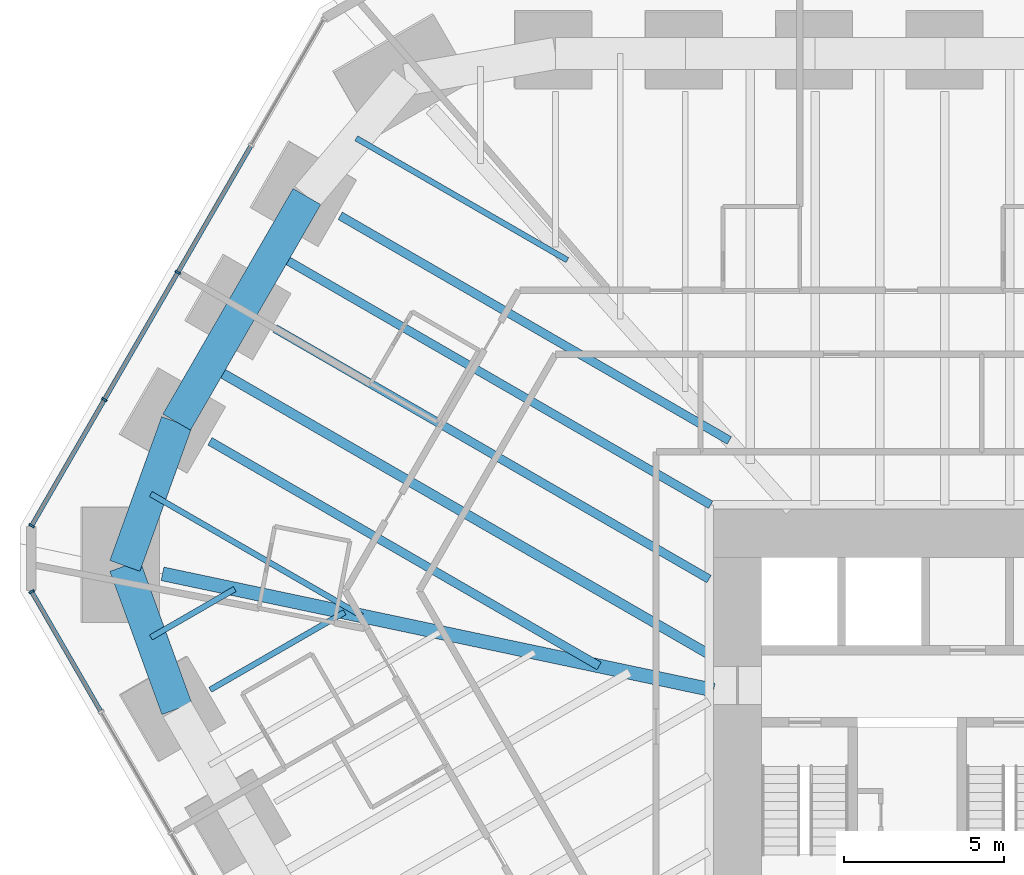
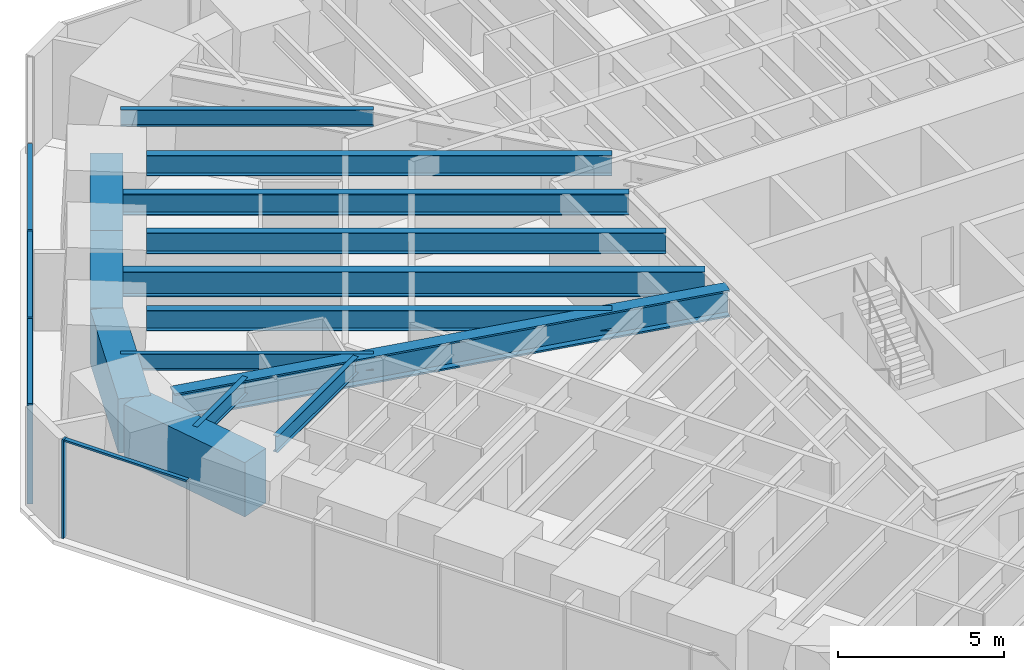
# One storey, part 7 of 17: 14 beams, 8 members, 2 elements without a shape of their own.
"""IFC4 building model written with IfcOpenShell, lengths in metres."""

from ifc_helpers import new_model, si_unit, direction, frame, origin, origin_2d, place, context, subcontext, project, spatial, rectangle, i_section, extrude, material, material_profile, profile_set, type_object, element, aggregate, save


model = new_model("IFC4")

# Units and contexts
model_context = context("Model", 3, precision=1e-05, world=origin(), true_north=direction((0.0, 1.0)))
body_context = subcontext(model_context, "Body", "Model", "MODEL_VIEW")
ifc_project = project(units=[si_unit("LENGTHUNIT", "METRE"), si_unit("AREAUNIT", "SQUARE_METRE"), si_unit("VOLUMEUNIT", "CUBIC_METRE"), si_unit("PLANEANGLEUNIT", "RADIAN"), si_unit("MASSUNIT", "GRAM", prefix="KILO")], contexts=[model_context])

# Site, building, storey
site_placement = place(None, origin())
site = spatial("IfcSite", under=ifc_project, at=site_placement, CompositionType="ELEMENT")
building_placement = place(site_placement, origin())
building = spatial("IfcBuilding", under=site, at=building_placement, Name="Sandreach Pilgrim Tower", CompositionType="ELEMENT")
storey_placement = place(building_placement, frame((0.0, 0.0, 76.199951171875)))
storey = spatial("IfcBuildingStorey", under=building, at=storey_placement, Name="L18", CompositionType="ELEMENT", Elevation=76.199951171875)

# Curtain wall, member
ifc_material_1 = material(Name="Aluminium framed curtain wall", Category="aluminium")
curtain_wall_type = type_object("IfcCurtainWallType", Name="Hostel tower curtain wall", PredefinedType="NOTDEFINED", material=ifc_material_1)
curtain_wall_1_placement = place(storey_placement, origin())
curtain_wall_1 = element("IfcCurtainWall", 1, at=curtain_wall_1_placement, inside=storey, type_object=curtain_wall_type, Name="CW-1 L18 SW", PredefinedType="NOTDEFINED")
ifc_material_2 = material(Name="Aluminium extrusion", Category="aluminium")
ifc_material_profile_1 = material_profile(ifc_material_2, rectangle(XDim=0.06494140625, YDim=0.179931640625, at=origin_2d()), Name="CW-1M 65X180")
ifc_profile_set_1 = profile_set([ifc_material_profile_1], Name="Aluminium extrusion")
member_type_1 = type_object("IfcMemberType", Name="CW-1 mullion", PredefinedType="MULLION", material=ifc_profile_set_1)
member_1_placement = place(storey_placement, frame((-30.56005859375, 5.033935546875, 0.0), z_axis=(0.0, 0.0, 1.0), x_axis=(-0.5, 0.866025403784, 0.0)))
member_1 = element("IfcMember", 2, at=member_1_placement, type_object=member_type_1, Name="CW-1 mullion 10", PredefinedType="MULLION", context=body_context, shape_type="SweptSolid", body=[
    extrude(rectangle(XDim=0.06494140625, YDim=0.179931640625, at=origin_2d()), origin(), (0.0, 0.0, 1.0), 3.64013671875),
])

# Curtain wall, members
curtain_wall_2_placement = place(storey_placement, origin())
curtain_wall_2 = element("IfcCurtainWall", 3, at=curtain_wall_2_placement, inside=storey, type_object=curtain_wall_type, Name="CW-1 L18 NW", PredefinedType="NOTDEFINED")
member_2_placement = place(storey_placement, frame((-30.56005859375, 7.09033203125, 0.0), z_axis=(0.0, 0.0, 1.0), x_axis=(0.5, 0.866025403784, 0.0)))
member_2 = element("IfcMember", 4, at=member_2_placement, type_object=member_type_1, Name="CW-1 mullion 1", PredefinedType="MULLION", context=body_context, shape_type="SweptSolid", body=[
    extrude(rectangle(XDim=0.06494140625, YDim=0.179931640625, at=origin_2d()), origin(), (0.0, 0.0, 1.0), 3.64013671875),
])
member_3_placement = place(storey_placement, frame((-28.283203125, 11.03369140625, 0.0), z_axis=(0.0, 0.0, 1.0), x_axis=(0.5, 0.866025403784, 0.0)))
member_3 = element("IfcMember", 5, at=member_3_placement, type_object=member_type_1, Name="CW-1 mullion 2", PredefinedType="MULLION", context=body_context, shape_type="SweptSolid", body=[
    extrude(rectangle(XDim=0.06494140625, YDim=0.179931640625, at=origin_2d()), origin(), (0.0, 0.0, 1.0), 3.64013671875),
])
member_4_placement = place(storey_placement, frame((-25.990234375, 15.00537109375, 0.0), z_axis=(0.0, 0.0, 1.0), x_axis=(0.5, 0.866025403784, 0.0)))
member_4 = element("IfcMember", 6, at=member_4_placement, type_object=member_type_1, Name="CW-1 mullion 3", PredefinedType="MULLION", context=body_context, shape_type="SweptSolid", body=[
    extrude(rectangle(XDim=0.06494140625, YDim=0.179931640625, at=origin_2d()), origin(), (0.0, 0.0, 1.0), 3.64013671875),
])

# Member
ifc_material_3 = material(Name="Aluminium extrusion", Category="aluminium")
ifc_material_profile_2 = material_profile(ifc_material_3, rectangle(XDim=0.139892578125, YDim=0.070068359375, at=origin_2d()), Name="CW-1T 140X70")
ifc_profile_set_2 = profile_set([ifc_material_profile_2], Name="Aluminium extrusion")
member_type_2 = type_object("IfcMemberType", Name="CW-1 transom", PredefinedType="USERDEFINED", material=ifc_profile_set_2)
member_5_placement = place(storey_placement, frame((-28.40673828125, 1.304443359375, 3.60498046875), z_axis=(-0.499991113271, 0.866030534479, 0.0), x_axis=(-0.866030534479, -0.499991113271, 0.0)))
member_5 = element("IfcMember", 7, at=member_5_placement, type_object=member_type_2, Name="CW-1 head transom 9", ObjectType="TRANSOM", PredefinedType="USERDEFINED", context=body_context, shape_type="SweptSolid", body=[
    extrude(rectangle(XDim=0.139892578125, YDim=0.070068359375, at=origin_2d()), origin(), (0.0, 0.0, 1.0), 4.27392578125),
])

aggregate(curtain_wall_1, [member_1, member_5])

member_6_placement = place(storey_placement, frame((-30.543701171875, 7.118408203125, 3.60498046875), z_axis=(0.499976706761, 0.866038851724, 0.0), x_axis=(-0.866038851724, 0.499976706761, 0.0)))
member_6 = element("IfcMember", 8, at=member_6_placement, type_object=member_type_2, Name="CW-1 head transom 1", ObjectType="TRANSOM", PredefinedType="USERDEFINED", context=body_context, shape_type="SweptSolid", body=[
    extrude(rectangle(XDim=0.139892578125, YDim=0.070068359375, at=origin_2d()), origin(), (0.0, 0.0, 1.0), 4.488525390625),
])

member_7_placement = place(storey_placement, frame((-28.266845703125, 11.06201171875, 3.60498046875), z_axis=(0.500001366228, 0.866024614991, 0.0), x_axis=(-0.866024614991, 0.500001366228, 0.0)))
member_7 = element("IfcMember", 9, at=member_7_placement, type_object=member_type_2, Name="CW-1 head transom 2", ObjectType="TRANSOM", PredefinedType="USERDEFINED", context=body_context, shape_type="SweptSolid", body=[
    extrude(rectangle(XDim=0.139892578125, YDim=0.070068359375, at=origin_2d()), origin(), (0.0, 0.0, 1.0), 4.52099609375),
])

member_8_placement = place(storey_placement, frame((-25.973876953125, 15.03369140625, 3.60498046875), z_axis=(0.500001366228, 0.866024614991, 0.0), x_axis=(-0.866024614991, 0.500001366228, 0.0)))
member_8 = element("IfcMember", 10, at=member_8_placement, type_object=member_type_2, Name="CW-1 head transom 3", ObjectType="TRANSOM", PredefinedType="USERDEFINED", context=body_context, shape_type="SweptSolid", body=[
    extrude(rectangle(XDim=0.139892578125, YDim=0.070068359375, at=origin_2d()), origin(), (0.0, 0.0, 1.0), 4.52099609375),
])

aggregate(curtain_wall_2, [member_2, member_3, member_4, member_6, member_7, member_8])

# Beams
ifc_material_4 = material(Name="Steel ASTM A992 Grade 50", Category="steel")
ifc_material_profile_3 = material_profile(ifc_material_4, i_section(OverallWidth=0.431884765625, OverallDepth=0.988037109375, WebThickness=0.034423828125, FlangeThickness=0.06201171875, at=origin_2d()), Name="W36X441")
ifc_profile_set_3 = profile_set([ifc_material_profile_3], Name="Steel ASTM A992 Grade 50")
beam_type_1 = type_object("IfcBeamType", Name="Corner girder W36X441", PredefinedType="BEAM", material=ifc_profile_set_3)
beam_1_placement = place(storey_placement, frame((-26.47021484375, 5.588623046875, 3.14599609375), z_axis=(0.978430109854, -0.206578121132, 0.0), x_axis=(0.206578121132, 0.978430109854, 0.0)))
element("IfcBeam", 11, at=beam_1_placement, inside=storey, type_object=beam_type_1, Name="BM L18 CG35", PredefinedType="BEAM", context=body_context, shape_type="SweptSolid", body=[
    extrude(i_section(OverallWidth=0.431884765625, OverallDepth=0.988037109375, WebThickness=0.034423828125, FlangeThickness=0.06201171875, at=origin_2d()), origin(), (0.0, 0.0, 1.0), 17.599853515625),
])
ifc_material_5 = material(Name="Steel ASTM A992 Grade 50", Category="steel")
ifc_material_profile_4 = material_profile(ifc_material_5, i_section(OverallWidth=0.1787109375, OverallDepth=0.60205078125, WebThickness=0.010986328125, FlangeThickness=0.014892578125, at=origin_2d()), Name="W24X62")
ifc_profile_set_4 = profile_set([ifc_material_profile_4], Name="Steel ASTM A992 Grade 50")
beam_type_2 = type_object("IfcBeamType", Name="Floor beam W24X62", PredefinedType="BEAM", material=ifc_profile_set_4)
beam_2_placement = place(storey_placement, frame((-24.979736328125, 1.964111328125, 3.339111328125), z_axis=(0.866037134122, 0.499979681909, 0.0), x_axis=(-0.499979681909, 0.866037134122, 0.0)))
element("IfcBeam", 12, at=beam_2_placement, inside=storey, type_object=beam_type_2, Name="BM L18 F34", PredefinedType="BEAM", context=body_context, shape_type="SweptSolid", body=[
    extrude(i_section(OverallWidth=0.1787109375, OverallDepth=0.60205078125, WebThickness=0.010986328125, FlangeThickness=0.014892578125, at=origin_2d()), origin(), (0.0, 0.0, 1.0), 4.847412109375),
])
beam_3_placement = place(storey_placement, frame((-26.83154296875, 3.600341796875, 3.339111328125), z_axis=(0.866028258222, 0.499995055936, 0.0), x_axis=(-0.499995055936, 0.866028258222, 0.0)))
element("IfcBeam", 13, at=beam_3_placement, inside=storey, type_object=beam_type_2, Name="BM L18 FM34", PredefinedType="BEAM", context=body_context, shape_type="SweptSolid", body=[
    extrude(i_section(OverallWidth=0.1787109375, OverallDepth=0.60205078125, WebThickness=0.010986328125, FlangeThickness=0.014892578125, at=origin_2d()), origin(), (0.0, 0.0, 1.0), 3.0234375),
])
for number, where, z_axis, x_axis, name in (
    (14, (-26.83544921875, 8.08251953125, 3.339111328125), (0.866022320763, -0.500005339912, 0.0), (0.500005339912, 0.866022320763, 0.0), "BM L18 FM35"),
    (15, (-20.41748046875, 19.198974609375, 3.339111328125), (0.866022320763, -0.500005339912, 0.0), (0.500005339912, 0.866022320763, 0.0), "BM L18 FM38"),
):
    element("IfcBeam", number, at=place(storey_placement, frame(where, z_axis=z_axis, x_axis=x_axis)), inside=storey, type_object=beam_type_2, Name=name, PredefinedType="BEAM", context=body_context, shape_type="SweptSolid", body=[
        extrude(i_section(OverallWidth=0.1787109375, OverallDepth=0.60205078125, WebThickness=0.010986328125, FlangeThickness=0.014892578125, at=origin_2d()), origin(), (0.0, 0.0, 1.0), 7.6201171875),
    ])
ifc_material_6 = material(Name="Steel ASTM A992 Grade 50", Category="steel")
ifc_material_profile_5 = material_profile(ifc_material_6, i_section(OverallWidth=0.2666015625, OverallDepth=0.761962890625, WebThickness=0.014404296875, FlangeThickness=0.021484375, at=origin_2d()), Name="W30X116")
ifc_profile_set_5 = profile_set([ifc_material_profile_5], Name="Steel ASTM A992 Grade 50")
beam_type_3 = type_object("IfcBeamType", Name="Floor beam W30X116", PredefinedType="BEAM", material=ifc_profile_set_5)
for number, where, z_axis, x_axis, name in (
    (16, (-24.9873046875, 9.728515625, 3.259033203125), (0.866023713045, -0.500002928436, 0.0), (0.500002928436, 0.866023713045, 0.0), "BM L18 F36"),
    (17, (-20.918701171875, 16.775390625, 3.259033203125), (0.866023713045, -0.500002928436, 0.0), (0.500002928436, 0.866023713045, 0.0), "BM L18 F38"),
):
    element("IfcBeam", number, at=place(storey_placement, frame(where, z_axis=z_axis, x_axis=x_axis)), inside=storey, type_object=beam_type_3, Name=name, PredefinedType="BEAM", context=body_context, shape_type="SweptSolid", body=[
        extrude(i_section(OverallWidth=0.2666015625, OverallDepth=0.761962890625, WebThickness=0.014404296875, FlangeThickness=0.021484375, at=origin_2d()), origin(), (0.0, 0.0, 1.0), 14.0400390625),
    ])
ifc_material_7 = material(Name="Steel ASTM A992 Grade 50", Category="steel")
ifc_material_profile_6 = material_profile(ifc_material_7, i_section(OverallWidth=0.2666015625, OverallDepth=0.77978515625, WebThickness=0.0166015625, FlangeThickness=0.030029296875, at=origin_2d()), Name="W30X148")
ifc_profile_set_6 = profile_set([ifc_material_profile_6], Name="Steel ASTM A992 Grade 50")
beam_type_4 = type_object("IfcBeamType", Name="Floor beam W30X148", PredefinedType="BEAM", material=ifc_profile_set_6)
beam_4_placement = place(storey_placement, frame((-22.952880859375, 13.251953125, 3.250244140625), z_axis=(0.866025633016, -0.499999602958, 0.0), x_axis=(0.499999602958, 0.866025633016, 0.0)))
element("IfcBeam", 18, at=beam_4_placement, inside=storey, type_object=beam_type_4, Name="BM L18 F37", PredefinedType="BEAM", context=body_context, shape_type="SweptSolid", body=[
    extrude(i_section(OverallWidth=0.2666015625, OverallDepth=0.77978515625, WebThickness=0.0166015625, FlangeThickness=0.030029296875, at=origin_2d()), origin(), (0.0, 0.0, 1.0), 15.6572265625),
])
beam_5_placement = place(storey_placement, frame((-22.97509765625, 15.613525390625, 3.250244140625), z_axis=(0.86603164725, -0.499989185844, 0.0), x_axis=(0.499989185844, 0.86603164725, 0.0)))
element("IfcBeam", 19, at=beam_5_placement, inside=storey, type_object=beam_type_4, Name="BM L18 FM37", PredefinedType="BEAM", context=body_context, shape_type="SweptSolid", body=[
    extrude(i_section(OverallWidth=0.2666015625, OverallDepth=0.77978515625, WebThickness=0.0166015625, FlangeThickness=0.030029296875, at=origin_2d()), origin(), (0.0, 0.0, 1.0), 15.740478515625),
])
ifc_material_8 = material(Name="Steel ASTM A992 Grade 50", Category="steel")
ifc_material_profile_7 = material_profile(ifc_material_8, i_section(OverallWidth=0.3046875, OverallDepth=0.914306640625, WebThickness=0.0166015625, FlangeThickness=0.02587890625, at=origin_2d()), Name="W36X160")
ifc_profile_set_7 = profile_set([ifc_material_profile_7], Name="Steel ASTM A992 Grade 50")
beam_type_5 = type_object("IfcBeamType", Name="Floor beam W36X160", PredefinedType="BEAM", material=ifc_profile_set_7)
beam_6_placement = place(storey_placement, frame((-25.00927734375, 12.090087890625, 3.182861328125), z_axis=(0.866025727809, -0.499999438773, 0.0), x_axis=(0.499999438773, 0.866025727809, 0.0)))
element("IfcBeam", 20, at=beam_6_placement, inside=storey, type_object=beam_type_5, Name="BM L18 FM36", PredefinedType="BEAM", context=body_context, shape_type="SweptSolid", body=[
    extrude(i_section(OverallWidth=0.3046875, OverallDepth=0.914306640625, WebThickness=0.0166015625, FlangeThickness=0.02587890625, at=origin_2d()), origin(), (0.0, 0.0, 1.0), 18.03173828125),
])
ifc_material_9 = material(Name="Concrete 10000 psi", Category="concrete")
ifc_material_profile_8 = material_profile(ifc_material_9, rectangle(XDim=1.0, YDim=2.0, at=origin_2d()), Name="RC1000X2000")
ifc_profile_set_8 = profile_set([ifc_material_profile_8], Name="Concrete 10000 psi")
beam_type_6 = type_object("IfcBeamType", Name="Spandrel beam RC1000X2000", PredefinedType="SPANDREL", material=ifc_profile_set_8)
beam_7_placement = place(storey_placement, frame((-26.018798828125, 1.364013671875, 2.64013671875), z_axis=(-0.341615368371, 0.939839848109, 0.0), x_axis=(-0.939839848109, -0.341615368371, 0.0)))
element("IfcBeam", 21, at=beam_7_placement, inside=storey, type_object=beam_type_6, Name="BM L18 SP34", PredefinedType="SPANDREL", context=body_context, shape_type="SweptSolid", body=[
    extrude(rectangle(XDim=1.0, YDim=2.0, at=origin_2d()), origin(), (0.0, 0.0, 1.0), 4.759033203125),
])
beam_8_placement = place(storey_placement, frame((-27.64453125, 5.836669921875, 2.64013671875), z_axis=(0.338933132141, 0.94081046547, 0.0), x_axis=(-0.94081046547, 0.338933132141, 0.0)))
element("IfcBeam", 22, at=beam_8_placement, inside=storey, type_object=beam_type_6, Name="BM L18 SP35", PredefinedType="SPANDREL", context=body_context, shape_type="SweptSolid", body=[
    extrude(rectangle(XDim=1.0, YDim=2.0, at=origin_2d()), origin(), (0.0, 0.0, 1.0), 4.774169921875),
])
for number, where, z_axis, x_axis, name in (
    (23, (-26.0263671875, 10.328369140625, 2.64013671875), (0.499985639223, 0.866033694824, 0.0), (-0.866033694824, 0.499985639223, 0.0), "BM L18 SP36"),
    (24, (-23.9921875, 13.851806640625, 2.64013671875), (0.499985639223, 0.866033694824, 0.0), (-0.866033694824, 0.499985639223, 0.0), "BM L18 SP37"),
):
    element("IfcBeam", number, at=place(storey_placement, frame(where, z_axis=z_axis, x_axis=x_axis)), inside=storey, type_object=beam_type_6, Name=name, PredefinedType="SPANDREL", context=body_context, shape_type="SweptSolid", body=[
        extrude(rectangle(XDim=1.0, YDim=2.0, at=origin_2d()), origin(), (0.0, 0.0, 1.0), 4.068359375),
    ])

save(model, "model.ifc")
